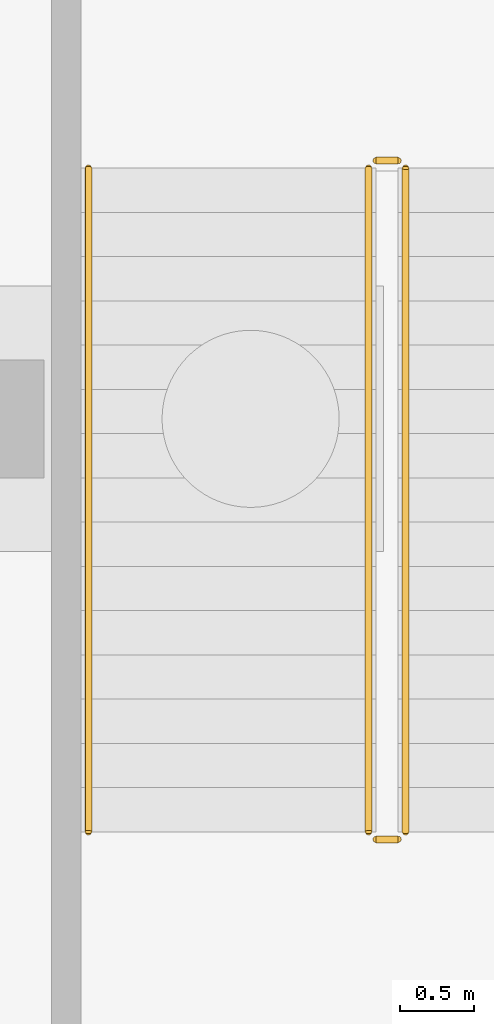
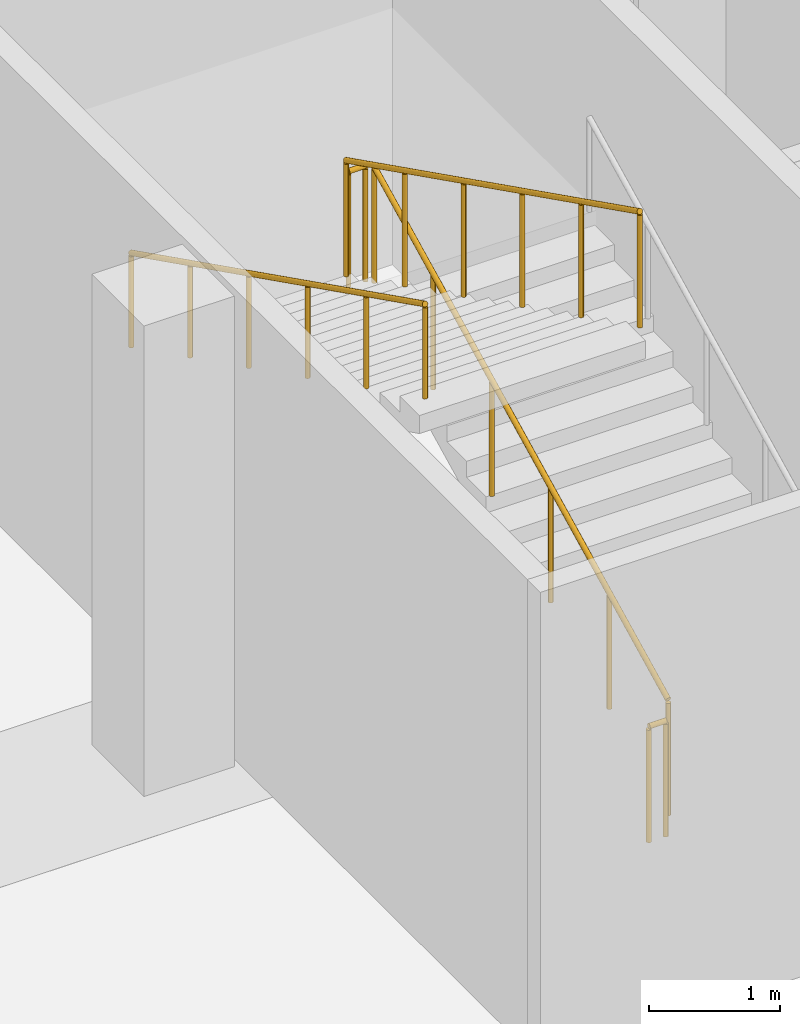
# One storey, part 29 of 46: 5 railings.
"""IFC4 building model written with IfcOpenShell, lengths in metres."""

import ifcopenshell
import ifcopenshell.guid

model = None  # the IFC model being written
_history = None  # IfcOwnerHistory: only IFC2X3 demands one
_inside = {}  # id of a spatial element -> (the spatial element, [elements in it])
_under = {}  # id of a project, library or spatial element -> (it, [spatial elements below it])
_declared = {}  # id of a project -> (the project, [libraries it declares])
_typed = {}  # id of a type object -> (the type object, [elements of that type])
_made_of = {}  # id of a material, layer set ... -> (it, [elements and type objects made of it])


def new_model(schema):
    """Start an empty IFC model of exactly this schema.

    Asked for "IFC4X3", IfcOpenShell would pick the latest addendum, in which some entities
    have other attributes; the version numbers below select the first issue.
    IFC2X3 requires an IfcOwnerHistory on every rooted entity: one is made here for all.
    """
    global model, _history
    if schema == "IFC4X3":
        model = ifcopenshell.file(schema_version=(4, 3, 0, 0))
    else:
        model = ifcopenshell.file(schema=schema)
    _inside.clear()
    _under.clear()
    _declared.clear()
    _typed.clear()
    _made_of.clear()
    _history = None
    if model.schema == "IFC2X3":
        org = make("IfcOrganization", Name="unknown")
        user = make(
            "IfcPersonAndOrganization",
            ThePerson=make("IfcPerson", FamilyName="unknown"),
            TheOrganization=org,
        )
        app = make(
            "IfcApplication",
            ApplicationDeveloper=org,
            Version="unknown",
            ApplicationFullName="unknown",
            ApplicationIdentifier="unknown",
        )
        _history = make(
            "IfcOwnerHistory",
            OwningUser=user,
            OwningApplication=app,
            ChangeAction="ADDED",
            CreationDate=0,
        )
    return model


def make(cls, **values):
    """One entity of the class cls with the attributes given. An attribute that is None is left unset."""
    return model.create_entity(
        cls, **{name: value for name, value in values.items() if value is not None}
    )


def rooted(cls, **values):
    """An entity with a GlobalId (a new one), such as an element, a storey or a relation."""
    return make(cls, GlobalId=ifcopenshell.guid.new(), OwnerHistory=_history, **values)


def si_unit(unit_type, name, prefix=None):
    """IfcSIUnit, for example si_unit("LENGTHUNIT", "METRE", prefix="MILLI")."""
    return make("IfcSIUnit", UnitType=unit_type, Prefix=prefix, Name=name)


def assignment(units):
    """IfcUnitAssignment: the units of a project."""
    return None if units is None else make("IfcUnitAssignment", Units=units)


def point(xyz):
    """IfcCartesianPoint."""
    return None if xyz is None else make("IfcCartesianPoint", Coordinates=xyz)


def direction(xyz):
    """IfcDirection."""
    return None if xyz is None else make("IfcDirection", DirectionRatios=xyz)


def frame(location, z_axis=None, x_axis=None):
    """IfcAxis2Placement3D, a coordinate frame: its origin and axes. An axis left out is left unset."""
    return make(
        "IfcAxis2Placement3D",
        Location=point(location),
        Axis=direction(z_axis),
        RefDirection=direction(x_axis),
    )


def frame_2d(location, x_axis=None):
    """IfcAxis2Placement2D, a coordinate frame in the plane: its origin and x axis."""
    return make(
        "IfcAxis2Placement2D", Location=point(location), RefDirection=direction(x_axis)
    )


def origin():
    """The frame at (0, 0, 0) with its axes left unset."""
    return frame((0.0, 0.0, 0.0))


def origin_2d():
    """The frame at (0, 0) in the plane with its x axis left unset."""
    return frame_2d((0.0, 0.0))


def place(relative_to, where):
    """IfcLocalPlacement: puts the frame where relative to a parent placement (None: the world)."""
    return make(
        "IfcLocalPlacement", PlacementRelTo=relative_to, RelativePlacement=where
    )


def context(
    kind, dimensions, precision=None, world=None, true_north=None, identifier=None
):
    """IfcGeometricRepresentationContext, for example the 3D "Model" context."""
    return make(
        "IfcGeometricRepresentationContext",
        ContextIdentifier=identifier,
        ContextType=kind,
        CoordinateSpaceDimension=dimensions,
        Precision=precision,
        WorldCoordinateSystem=world,
        TrueNorth=true_north,
    )


def subcontext(parent, identifier, kind, view, scale=None):
    """IfcGeometricRepresentationSubContext, for example "Body" below "Model"."""
    return make(
        "IfcGeometricRepresentationSubContext",
        ContextIdentifier=identifier,
        ContextType=kind,
        ParentContext=parent,
        TargetScale=scale,
        TargetView=view,
    )


def project(units=None, contexts=None):
    """IfcProject with its units and contexts."""
    return rooted(
        "IfcProject",
        Name="project",
        RepresentationContexts=contexts,
        UnitsInContext=assignment(units),
    )


def spatial(cls, under=None, at=None, **own):
    """A site, building, storey or space (cls), placed at a placement, below another one or the project."""
    s = rooted(cls, ObjectPlacement=at, **own)
    if under is not None:
        _under.setdefault(under.id(), (under, []))[1].append(s)
    return s


def profile(cls, at=None, kind="AREA", **sizes):
    """A parametric profile (cls). Its sizes go by their IFC names, for example OverallWidth=200.0."""
    return make(cls, ProfileType=kind, Position=at, **sizes)


def circle(**sizes):
    """IfcCircleProfileDef."""
    return profile("IfcCircleProfileDef", **sizes)


def extrude(swept, where, along, depth):
    """IfcExtrudedAreaSolid: the profile swept, set in the frame where, extruded along a direction by depth."""
    return make(
        "IfcExtrudedAreaSolid",
        SweptArea=swept,
        Position=where,
        ExtrudedDirection=direction(along),
        Depth=depth,
    )


def shape(context_of_items, identifier, shape_type, items):
    """IfcShapeRepresentation: the items that make up one representation, for example the "Body"."""
    return make(
        "IfcShapeRepresentation",
        ContextOfItems=context_of_items,
        RepresentationIdentifier=identifier,
        RepresentationType=shape_type,
        Items=items,
    )


def material(Name=None, Category=None):
    """IfcMaterial."""
    return make("IfcMaterial", Name=Name, Category=Category)


def made_of(thing, what):
    """Note that an element or type object is made of a material, layer set ...; save() writes the relation."""
    if what is not None:
        _made_of.setdefault(what.id(), (what, []))[1].append(thing)
    return thing


def type_object(cls, material=None, **own):
    """A type object (cls), such as IfcWallType, which elements share."""
    return made_of(rooted(cls, **own), material)


def element(
    cls,
    number,
    at=None,
    inside=None,
    cuts=None,
    type_object=None,
    material=None,
    context=None,
    identifier="Body",
    shape_type=None,
    held_by="IfcProductDefinitionShape",
    body=None,
    shapes=None,
    **own,
):
    """One element of the class cls, such as IfcWall. Its Tag is "e" and its number.

    at: its placement. inside: the storey or other place that contains it. cuts: it is an
    opening in that element (IfcRelVoidsElement). A single representation is given by context,
    identifier, shape_type and body (its items); several are given by shapes. held_by: the class
    of the entity that holds the representations. save() writes the other relations.
    """
    e = rooted(cls, Tag="e%d" % number, ObjectPlacement=at, **own)
    if body is not None:
        shapes = [shape(context, identifier, shape_type, body)]
    if shapes is not None:
        e.Representation = make(held_by, Representations=shapes)
    if inside is not None:
        _inside.setdefault(inside.id(), (inside, []))[1].append(e)
    if cuts is not None:
        rooted(
            "IfcRelVoidsElement", RelatingBuildingElement=cuts, RelatedOpeningElement=e
        )
    if type_object is not None:
        _typed.setdefault(type_object.id(), (type_object, []))[1].append(e)
    return made_of(e, material)


def aggregate(whole, parts):
    """IfcRelAggregates: a whole, such as a stair, and the parts it consists of."""
    return rooted("IfcRelAggregates", RelatingObject=whole, RelatedObjects=parts)


def save(model, path):
    """Write the relations noted so far, then the file.

    IfcRelAggregates (storeys below a building ...), IfcRelContainedInSpatialStructure (elements
    in a storey), IfcRelDefinesByType, IfcRelAssociatesMaterial and IfcRelDeclares: one each for
    every whole, place, type object, material and project.
    """
    for whole, parts in _under.values():
        aggregate(whole, parts)
    for where, things in _inside.values():
        rooted(
            "IfcRelContainedInSpatialStructure",
            RelatedElements=things,
            RelatingStructure=where,
        )
    for kind, things in _typed.values():
        rooted("IfcRelDefinesByType", RelatedObjects=things, RelatingType=kind)
    for what, things in _made_of.values():
        rooted("IfcRelAssociatesMaterial", RelatedObjects=things, RelatingMaterial=what)
    for by, libraries in _declared.values():
        rooted("IfcRelDeclares", RelatingContext=by, RelatedDefinitions=libraries)
    model.write(path)


model = new_model("IFC4")

# Units and contexts
model_context = context("Model", 3, precision=1e-05, world=origin(), true_north=direction((0.0, 1.0)))
body_context = subcontext(model_context, "Body", "Model", "MODEL_VIEW")
ifc_project = project(units=[si_unit("LENGTHUNIT", "METRE"), si_unit("AREAUNIT", "SQUARE_METRE"), si_unit("VOLUMEUNIT", "CUBIC_METRE"), si_unit("PLANEANGLEUNIT", "RADIAN"), si_unit("MASSUNIT", "GRAM", prefix="KILO")], contexts=[model_context])

# Site, building, storey
site_placement = place(None, origin())
site = spatial("IfcSite", under=ifc_project, at=site_placement, CompositionType="ELEMENT")
building_placement = place(site_placement, origin())
building = spatial("IfcBuilding", under=site, at=building_placement, Name="Tamra Quay Hotel Tower", CompositionType="ELEMENT")
storey_placement = place(building_placement, frame((0.0, 0.0, -12.0)))
storey = spatial("IfcBuildingStorey", under=building, at=storey_placement, Name="B3", CompositionType="ELEMENT", Elevation=-12.0)

# Railings
ifc_material_1 = material(Name="Basement stair guard 1100")
railing_type_1 = type_object("IfcRailingType", Name="Basement stair guard 1100", PredefinedType="GUARDRAIL", material=ifc_material_1)
railing_1_placement = place(storey_placement, frame((-61.050048828125, -66.800048828125, 0.14990234375)))
element("IfcRailing", 1, at=railing_1_placement, inside=storey, type_object=railing_type_1, Name="BSG", PredefinedType="GUARDRAIL", context=body_context, shape_type="SweptSolid", body=[
    extrude(circle(Radius=0.02392578125, at=origin_2d()), frame((0.0, 0.0, 1.076171875), z_axis=(0.0, 0.894427191, 0.4472135955), x_axis=(-1.0, 0.0, 0.0)), (0.0, 0.0, 1.0), 5.03125),
    extrude(circle(Radius=0.02099609375, at=origin_2d()), origin(), (0.0, 0.0, 1.0), 1.052001953125),
    extrude(circle(Radius=0.02099609375, at=origin_2d()), frame((0.0, 0.89990234375, 0.449951171875)), (0.0, 0.0, 1.0), 1.052001953125),
    extrude(circle(Radius=0.02099609375, at=origin_2d()), frame((0.0, 1.800048828125, 0.89990234375)), (0.0, 0.0, 1.0), 1.052001953125),
    extrude(circle(Radius=0.02099609375, at=origin_2d()), frame((0.0, 2.699951171875, 1.35009765625)), (0.0, 0.0, 1.0), 1.052001953125),
    extrude(circle(Radius=0.02099609375, at=origin_2d()), frame((0.0, 3.60009765625, 1.800048828125)), (0.0, 0.0, 1.0), 1.052001953125),
    extrude(circle(Radius=0.02099609375, at=origin_2d()), frame((0.0, 4.5, 2.25)), (0.0, 0.0, 1.0), 1.052001953125),
])
railing_2_placement = place(storey_placement, frame((-61.10009765625, -62.25, 2.39990234375)))
element("IfcRailing", 2, at=railing_2_placement, inside=storey, type_object=railing_type_1, Name="BSG", PredefinedType="GUARDRAIL", context=body_context, shape_type="SweptSolid", body=[
    extrude(circle(Radius=0.02392578125, at=origin_2d()), frame((0.0, 0.0, 1.076171875), z_axis=(-1.0, 0.0, 0.0), x_axis=(0.0, -1.0, 0.0)), (0.0, 0.0, 1.0), 0.14990234375),
    extrude(circle(Radius=0.02099609375, at=origin_2d()), origin(), (0.0, 0.0, 1.0), 1.052001953125),
    extrude(circle(Radius=0.02099609375, at=origin_2d()), frame((-0.14990234375, 0.0, 0.0)), (0.0, 0.0, 1.0), 1.052001953125),
])
railing_3_placement = place(storey_placement, frame((-61.300048828125, -62.300048828125, 2.550048828125)))
element("IfcRailing", 3, at=railing_3_placement, inside=storey, type_object=railing_type_1, Name="BSG", PredefinedType="GUARDRAIL", context=body_context, shape_type="SweptSolid", body=[
    extrude(circle(Radius=0.02392578125, at=origin_2d()), frame((0.0, 0.0, 1.076171875), z_axis=(0.0, -0.894427191, 0.4472135955), x_axis=(1.0, 0.0, 0.0)), (0.0, 0.0, 1.0), 5.03125),
    extrude(circle(Radius=0.02099609375, at=origin_2d()), origin(), (0.0, 0.0, 1.0), 1.052001953125),
    extrude(circle(Radius=0.02099609375, at=origin_2d()), frame((0.0, -0.89990234375, 0.449951171875)), (0.0, 0.0, 1.0), 1.052001953125),
    extrude(circle(Radius=0.02099609375, at=origin_2d()), frame((0.0, -1.800048828125, 0.89990234375)), (0.0, 0.0, 1.0), 1.052001953125),
    extrude(circle(Radius=0.02099609375, at=origin_2d()), frame((0.0, -2.699951171875, 1.35009765625)), (0.0, 0.0, 1.0), 1.052001953125),
    extrude(circle(Radius=0.02099609375, at=origin_2d()), frame((0.0, -3.60009765625, 1.800048828125)), (0.0, 0.0, 1.0), 1.052001953125),
    extrude(circle(Radius=0.02099609375, at=origin_2d()), frame((0.0, -4.5, 2.25)), (0.0, 0.0, 1.0), 1.052001953125),
])
railing_4_placement = place(storey_placement, frame((-61.10009765625, -66.85009765625, 0.0)))
element("IfcRailing", 4, at=railing_4_placement, inside=storey, type_object=railing_type_1, Name="BSG", PredefinedType="GUARDRAIL", context=body_context, shape_type="SweptSolid", body=[
    extrude(circle(Radius=0.02392578125, at=origin_2d()), frame((0.0, 0.0, 1.076171875), z_axis=(-1.0, 0.0, 0.0), x_axis=(0.0, -1.0, 0.0)), (0.0, 0.0, 1.0), 0.14990234375),
    extrude(circle(Radius=0.02099609375, at=origin_2d()), origin(), (0.0, 0.0, 1.0), 1.052001953125),
    extrude(circle(Radius=0.02099609375, at=origin_2d()), frame((-0.14990234375, 0.0, 0.0)), (0.0, 0.0, 1.0), 1.052001953125),
])
ifc_material_2 = material(Name="Basement stair handrail 900")
railing_type_2 = type_object("IfcRailingType", Name="Basement stair handrail 900", PredefinedType="HANDRAIL", material=ifc_material_2)
railing_5_placement = place(storey_placement, frame((-63.199951171875, -62.300048828125, 2.550048828125)))
element("IfcRailing", 5, at=railing_5_placement, inside=storey, type_object=railing_type_2, Name="BSH", PredefinedType="HANDRAIL", context=body_context, shape_type="SweptSolid", body=[
    extrude(circle(Radius=0.02392578125, at=origin_2d()), frame((0.0, 0.0, 0.8759765625), z_axis=(0.0, -0.894427191, 0.4472135955), x_axis=(1.0, 0.0, 0.0)), (0.0, 0.0, 1.0), 5.03125),
    extrude(circle(Radius=0.02099609375, at=origin_2d()), origin(), (0.0, 0.0, 1.0), 0.851806640625),
    extrude(circle(Radius=0.02099609375, at=origin_2d()), frame((0.0, -0.89990234375, 0.449951171875)), (0.0, 0.0, 1.0), 0.851806640625),
    extrude(circle(Radius=0.02099609375, at=origin_2d()), frame((0.0, -1.800048828125, 0.89990234375)), (0.0, 0.0, 1.0), 0.851806640625),
    extrude(circle(Radius=0.02099609375, at=origin_2d()), frame((0.0, -2.699951171875, 1.35009765625)), (0.0, 0.0, 1.0), 0.851806640625),
    extrude(circle(Radius=0.02099609375, at=origin_2d()), frame((0.0, -3.60009765625, 1.800048828125)), (0.0, 0.0, 1.0), 0.851806640625),
    extrude(circle(Radius=0.02099609375, at=origin_2d()), frame((0.0, -4.5, 2.25)), (0.0, 0.0, 1.0), 0.851806640625),
])

save(model, "model.ifc")
